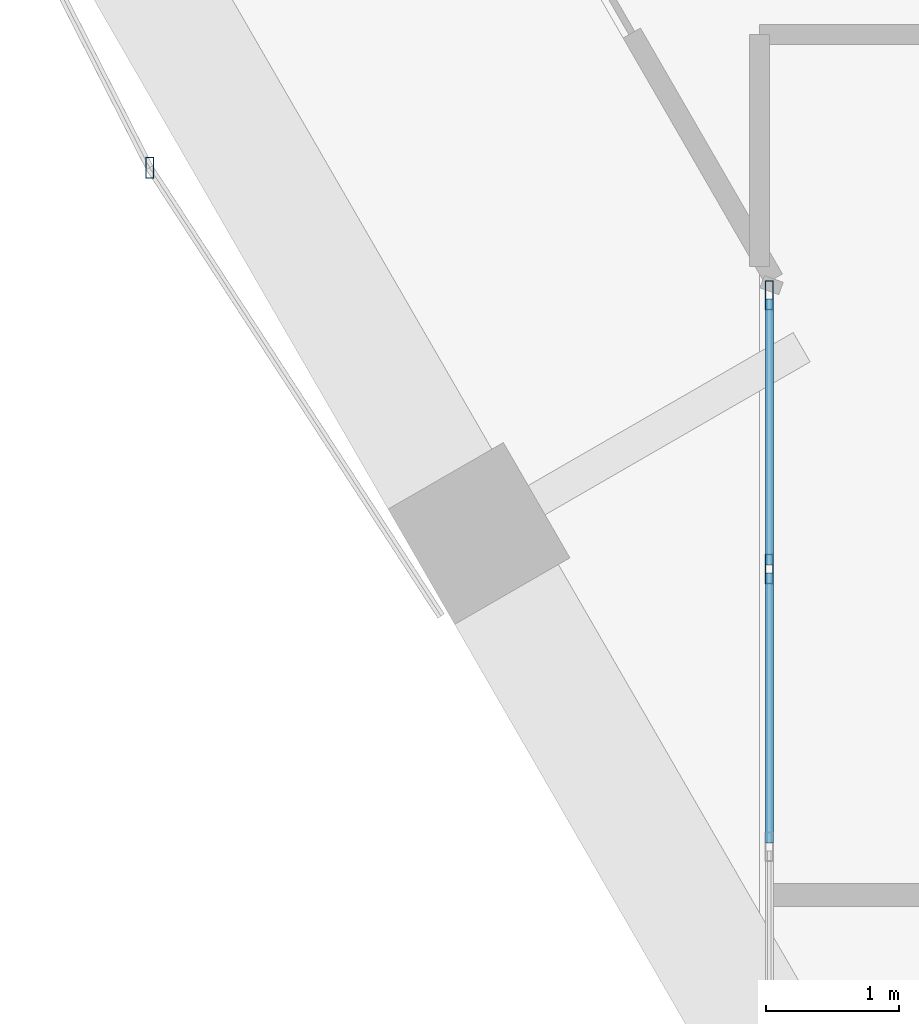
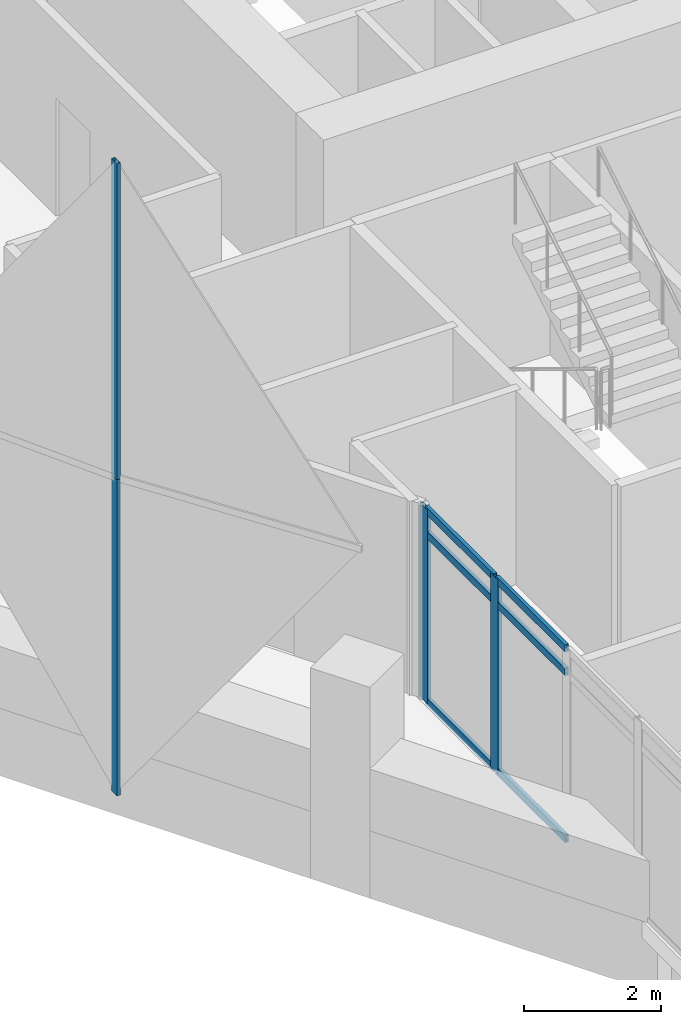
# One storey, part 9 of 37: 10 members, 2 elements without a shape of their own.
"""IFC4 building model written with IfcOpenShell, lengths in metres."""

from ifc_helpers import new_model, si_unit, direction, frame, origin, origin_2d, place, context, subcontext, project, spatial, hollow_rectangle, extrude, material, material_profile, profile_set, type_object, element, aggregate, save


model = new_model("IFC4")

# Units and contexts
model_context = context("Model", 3, precision=1e-05, world=origin(), true_north=direction((0.0, 1.0)))
body_context = subcontext(model_context, "Body", "Model", "MODEL_VIEW")
ifc_project = project(units=[si_unit("LENGTHUNIT", "METRE"), si_unit("AREAUNIT", "SQUARE_METRE"), si_unit("VOLUMEUNIT", "CUBIC_METRE"), si_unit("PLANEANGLEUNIT", "RADIAN"), si_unit("MASSUNIT", "GRAM", prefix="KILO")], contexts=[model_context])

# Site, building, storey
site_placement = place(None, origin())
site = spatial("IfcSite", under=ifc_project, at=site_placement, CompositionType="ELEMENT")
building_placement = place(site_placement, origin())
building = spatial("IfcBuilding", under=site, at=building_placement, Name="Ostrander Bayou Hotel Tower", CompositionType="ELEMENT")
storey_placement = place(building_placement, frame((0.0, 0.0, 198.25)))
storey = spatial("IfcBuildingStorey", under=building, at=storey_placement, Name="L49", CompositionType="ELEMENT", Elevation=198.25)

# Curtain wall, members
ifc_material_1 = material(Name="Aluminium and clear glass", Category="aluminium")
curtain_wall_type_1 = type_object("IfcCurtainWallType", Name="CW-BAR glazed wall", PredefinedType="NOTDEFINED", material=ifc_material_1)
curtain_wall_1_placement = place(storey_placement, origin())
curtain_wall_1 = element("IfcCurtainWall", 1, at=curtain_wall_1_placement, inside=storey, type_object=curtain_wall_type_1, Name="CW-BAR L49:SB4S:E", PredefinedType="NOTDEFINED")
ifc_material_2 = material(Name="Aluminium", Category="aluminium")
ifc_material_profile_1 = material_profile(ifc_material_2, hollow_rectangle(XDim=0.06005859375, YDim=0.219970703125, WallThickness=0.00390625, at=origin_2d()))
ifc_profile_set_1 = profile_set([ifc_material_profile_1], Name="Aluminium")
member_type_1 = type_object("IfcMemberType", Name="CW-BR mullion 60 x 220 mm", PredefinedType="MULLION", material=ifc_profile_set_1)
member_1_placement = place(storey_placement, frame((-11.857177734375, -10.49267578125, 0.0), z_axis=(0.0, 0.0, 1.0), x_axis=(1.0, 0.0, 0.0)))
member_1 = element("IfcMember", 2, at=member_1_placement, type_object=member_type_1, Name="CW-BAR mullion 1", PredefinedType="MULLION", context=body_context, shape_type="SweptSolid", body=[
    extrude(hollow_rectangle(XDim=0.06005859375, YDim=0.219970703125, WallThickness=0.00390625, at=origin_2d()), origin(), (0.0, 0.0, 1.0), 3.449951171875),
])
member_2_placement = place(storey_placement, frame((-11.857177734375, -12.550537109375, 0.0), z_axis=(0.0, 0.0, 1.0), x_axis=(1.0, 0.0, 0.0)))
member_2 = element("IfcMember", 3, at=member_2_placement, type_object=member_type_1, Name="CW-BAR mullion 2", PredefinedType="MULLION", context=body_context, shape_type="SweptSolid", body=[
    extrude(hollow_rectangle(XDim=0.06005859375, YDim=0.219970703125, WallThickness=0.00390625, at=origin_2d()), origin(), (0.0, 0.0, 1.0), 3.449951171875),
])
ifc_material_3 = material(Name="Aluminium", Category="aluminium")
ifc_material_profile_2 = material_profile(ifc_material_3, hollow_rectangle(XDim=0.06005859375, YDim=0.1298828125, WallThickness=0.00390625, at=origin_2d()))
ifc_profile_set_2 = profile_set([ifc_material_profile_2], Name="Aluminium")
member_type_2 = type_object("IfcMemberType", Name="CW-BR transom 60 x 130 mm", PredefinedType="USERDEFINED", material=ifc_profile_set_2)
member_3_placement = place(storey_placement, frame((-11.857177734375, -10.522705078125, 0.030029296875), z_axis=(0.0, -1.0, 0.0), x_axis=(1.0, 0.0, 0.0)))
member_3 = element("IfcMember", 4, at=member_3_placement, type_object=member_type_2, Name="CW-BAR transom 1.1", ObjectType="TRANSOM", PredefinedType="USERDEFINED", context=body_context, shape_type="SweptSolid", body=[
    extrude(hollow_rectangle(XDim=0.06005859375, YDim=0.1298828125, WallThickness=0.00390625, at=origin_2d()), origin(), (0.0, 0.0, 1.0), 1.997802734375),
])
member_4_placement = place(storey_placement, frame((-11.857177734375, -10.522705078125, 3.0), z_axis=(0.0, -1.0, 0.0), x_axis=(1.0, 0.0, 0.0)))
member_4 = element("IfcMember", 5, at=member_4_placement, type_object=member_type_2, Name="CW-BAR transom 1.2", ObjectType="TRANSOM", PredefinedType="USERDEFINED", context=body_context, shape_type="SweptSolid", body=[
    extrude(hollow_rectangle(XDim=0.06005859375, YDim=0.1298828125, WallThickness=0.00390625, at=origin_2d()), origin(), (0.0, 0.0, 1.0), 1.997802734375),
])
member_5_placement = place(storey_placement, frame((-11.857177734375, -10.522705078125, 3.419921875), z_axis=(0.0, -1.0, 0.0), x_axis=(1.0, 0.0, 0.0)))
member_5 = element("IfcMember", 6, at=member_5_placement, type_object=member_type_2, Name="CW-BAR transom 1.3", ObjectType="TRANSOM", PredefinedType="USERDEFINED", context=body_context, shape_type="SweptSolid", body=[
    extrude(hollow_rectangle(XDim=0.06005859375, YDim=0.1298828125, WallThickness=0.00390625, at=origin_2d()), origin(), (0.0, 0.0, 1.0), 1.997802734375),
])
member_6_placement = place(storey_placement, frame((-11.857177734375, -12.58056640625, 0.030029296875), z_axis=(0.0, -1.0, 0.0), x_axis=(1.0, 0.0, 0.0)))
member_6 = element("IfcMember", 7, at=member_6_placement, type_object=member_type_2, Name="CW-BAR transom 2.1", ObjectType="TRANSOM", PredefinedType="USERDEFINED", context=body_context, shape_type="SweptSolid", body=[
    extrude(hollow_rectangle(XDim=0.06005859375, YDim=0.1298828125, WallThickness=0.00390625, at=origin_2d()), origin(), (0.0, 0.0, 1.0), 2.027587890625),
])
member_7_placement = place(storey_placement, frame((-11.857177734375, -12.58056640625, 3.0), z_axis=(0.0, -1.0, 0.0), x_axis=(1.0, 0.0, 0.0)))
member_7 = element("IfcMember", 8, at=member_7_placement, type_object=member_type_2, Name="CW-BAR transom 2.2", ObjectType="TRANSOM", PredefinedType="USERDEFINED", context=body_context, shape_type="SweptSolid", body=[
    extrude(hollow_rectangle(XDim=0.06005859375, YDim=0.1298828125, WallThickness=0.00390625, at=origin_2d()), origin(), (0.0, 0.0, 1.0), 2.027587890625),
])
member_8_placement = place(storey_placement, frame((-11.857177734375, -12.58056640625, 3.419921875), z_axis=(0.0, -1.0, 0.0), x_axis=(1.0, 0.0, 0.0)))
member_8 = element("IfcMember", 9, at=member_8_placement, type_object=member_type_2, Name="CW-BAR transom 2.3", ObjectType="TRANSOM", PredefinedType="USERDEFINED", context=body_context, shape_type="SweptSolid", body=[
    extrude(hollow_rectangle(XDim=0.06005859375, YDim=0.1298828125, WallThickness=0.00390625, at=origin_2d()), origin(), (0.0, 0.0, 1.0), 2.027587890625),
])
aggregate(curtain_wall_1, [member_1, member_2, member_3, member_4, member_5, member_6, member_7, member_8])

ifc_material_4 = material(Name="Aluminium and clear glass", Category="aluminium")
curtain_wall_type_2 = type_object("IfcCurtainWallType", Name="CW-LAT lattice glazing", PredefinedType="NOTDEFINED", material=ifc_material_4)
curtain_wall_2_placement = place(storey_placement, origin())
curtain_wall_2 = element("IfcCurtainWall", 10, at=curtain_wall_2_placement, inside=storey, type_object=curtain_wall_type_2, Name="CW-LAT L49 SW 1", PredefinedType="NOTDEFINED")
ifc_material_5 = material(Name="Aluminium", Category="aluminium")
ifc_material_profile_3 = material_profile(ifc_material_5, hollow_rectangle(XDim=0.06005859375, YDim=0.159912109375, WallThickness=0.00390625, at=origin_2d()))
ifc_profile_set_3 = profile_set([ifc_material_profile_3], Name="Aluminium")
member_type_3 = type_object("IfcMemberType", Name="CW-LA mullion 60 x 160 mm", PredefinedType="MULLION", material=ifc_profile_set_3)
member_9_placement = place(storey_placement, frame((-16.51513671875, -9.534912109375, -0.60009765625), z_axis=(0.0, 0.0, 1.0), x_axis=(1.0, 0.0, 0.0)))
member_9 = element("IfcMember", 11, at=member_9_placement, type_object=member_type_3, Name="CW-LAT mullion 4", PredefinedType="MULLION", context=body_context, shape_type="SweptSolid", body=[
    extrude(hollow_rectangle(XDim=0.06005859375, YDim=0.159912109375, WallThickness=0.00390625, at=origin_2d()), origin(), (0.0, 0.0, 1.0), 5.625),
])
member_10_placement = place(storey_placement, frame((-16.51513671875, -9.534912109375, 5.02490234375), z_axis=(0.0, 0.0, 1.0), x_axis=(1.0, 0.0, 0.0)))
member_10 = element("IfcMember", 12, at=member_10_placement, type_object=member_type_3, Name="CW-LAT mullion 5", PredefinedType="MULLION", context=body_context, shape_type="SweptSolid", body=[
    extrude(hollow_rectangle(XDim=0.06005859375, YDim=0.159912109375, WallThickness=0.00390625, at=origin_2d()), origin(), (0.0, 0.0, 1.0), 5.625),
])
aggregate(curtain_wall_2, [member_9, member_10])

save(model, "model.ifc")
